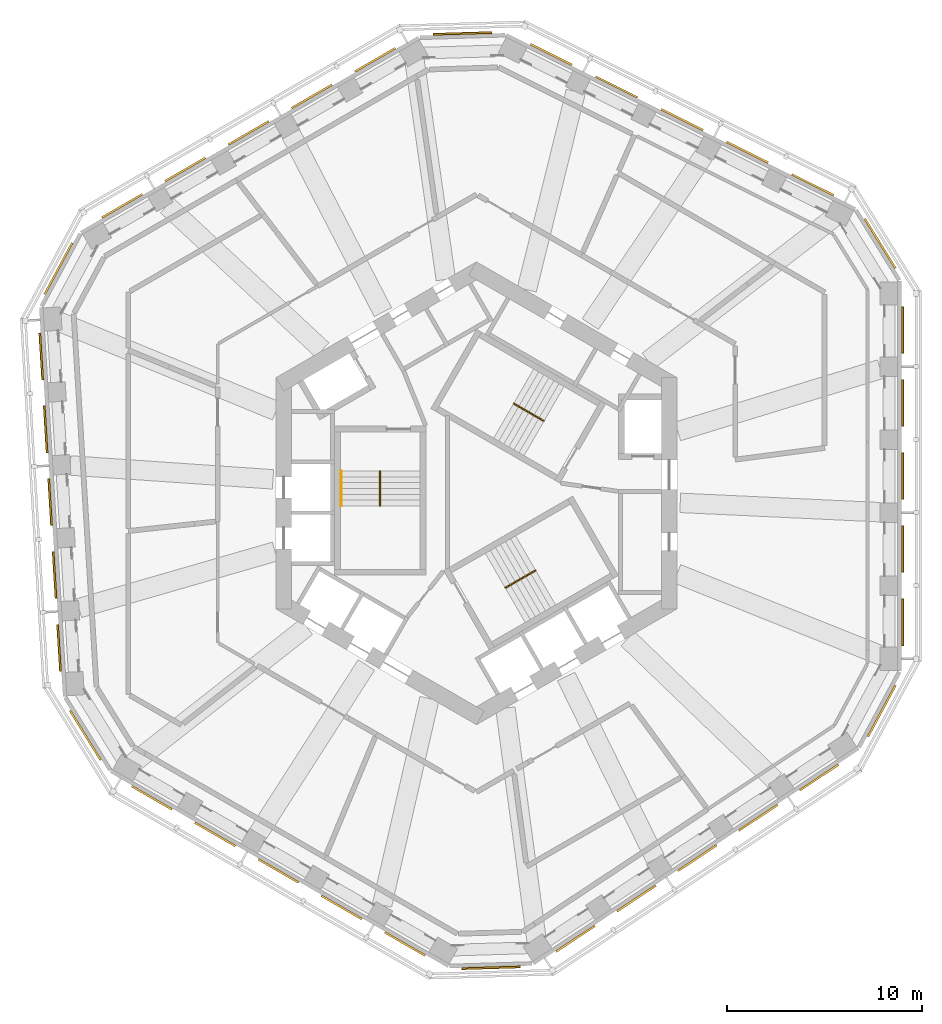
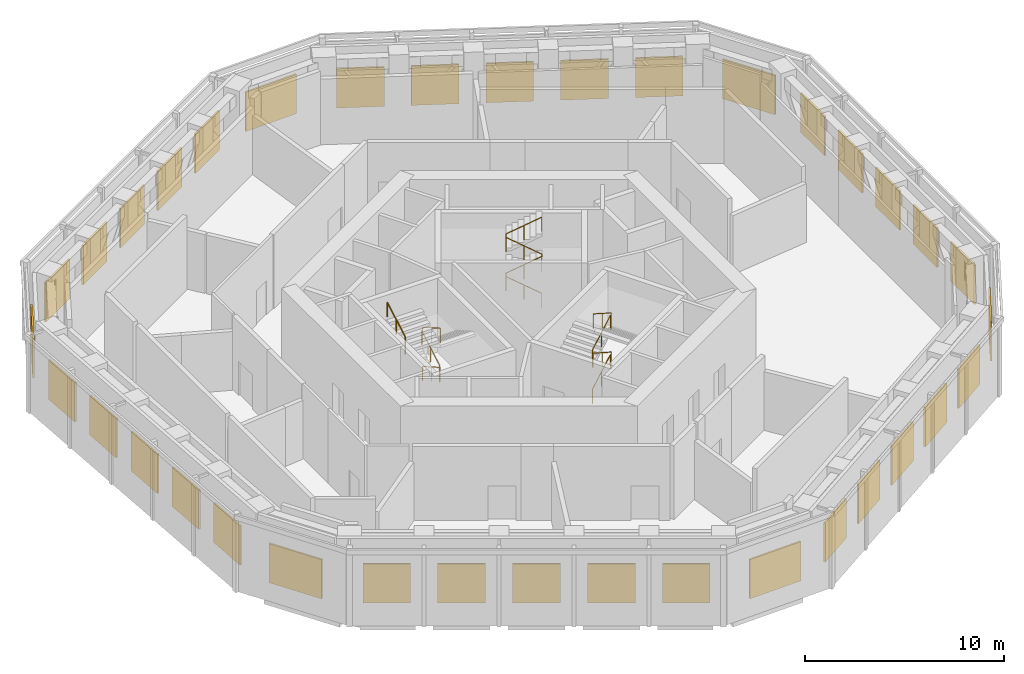
# One storey, part 15 of 15: 36 shading devices, 4 railings.
"""IFC4 building model written with IfcOpenShell, lengths in metres."""

from ifc_helpers import new_model, si_unit, direction, frame, origin, origin_2d, place, context, subcontext, project, spatial, rectangle, circle, extrude, material, layer, layer_set, type_object, element, save


model = new_model("IFC4")

# Units and contexts
model_context = context("Model", 3, precision=1e-05, world=origin(), true_north=direction((0.0, 1.0)))
body_context = subcontext(model_context, "Body", "Model", "MODEL_VIEW")
ifc_project = project(units=[si_unit("LENGTHUNIT", "METRE"), si_unit("AREAUNIT", "SQUARE_METRE"), si_unit("VOLUMEUNIT", "CUBIC_METRE"), si_unit("PLANEANGLEUNIT", "RADIAN"), si_unit("MASSUNIT", "GRAM", prefix="KILO")], contexts=[model_context])

# Site, building, storey
site_placement = place(None, origin())
site = spatial("IfcSite", under=ifc_project, at=site_placement, CompositionType="ELEMENT")
building_placement = place(site_placement, origin())
building = spatial("IfcBuilding", under=site, at=building_placement, Name="Vanh Sen Convention Tower", CompositionType="ELEMENT")
storey_placement = place(building_placement, frame((0.0, 0.0, 205.800048828125)))
storey = spatial("IfcBuildingStorey", under=building, at=storey_placement, Name="L51", CompositionType="ELEMENT", Elevation=205.800048828125)

# Shading devices
ifc_material_1 = material(Name="Aluminium fixed louvre", Category="aluminium")
ifc_layer_1 = layer(ifc_material_1, 0.10009765625)
ifc_layer_set_1 = layer_set([ifc_layer_1], Name="Aluminium fixed louvre")
shading_device_type_1 = type_object("IfcShadingDeviceType", Name="Fixed louvre band 2400 x 2400", PredefinedType="USERDEFINED", material=ifc_layer_set_1)
for number, where, z_axis, x_axis, name in (
    (1, (21.89990234375, -6.623779296875, 0.89990234375), (0.0, 0.0, 1.0), (0.0, 1.0, 0.0), "Fixed louvre band LV1-E1"),
    (2, (21.89990234375, -2.869873046875, 0.89990234375), (0.0, 0.0, 1.0), (0.0, 1.0, 0.0), "Fixed louvre band LV1-E2"),
    (3, (21.89990234375, 0.88427734375, 0.89990234375), (0.0, 0.0, 1.0), (0.0, 1.0, 0.0), "Fixed louvre band LV1-E3"),
    (4, (21.89990234375, 4.638427734375, 0.89990234375), (0.0, 0.0, 1.0), (0.0, 1.0, 0.0), "Fixed louvre band LV1-E4"),
    (5, (21.89990234375, 8.392578125, 0.89990234375), (0.0, 0.0, 1.0), (0.0, 1.0, 0.0), "Fixed louvre band LV1-E5"),
    (6, (17.282470703125, 15.8544921875, 0.89990234375), (0.0, 0.0, 1.0), (-0.894935919121, 0.446194689197, 0.0), "Fixed louvre band LV1-NE1"),
    (7, (13.9228515625, 17.529296875, 0.89990234375), (0.0, 0.0, 1.0), (-0.894935919121, 0.446194689197, 0.0), "Fixed louvre band LV1-NE2"),
    (8, (10.56298828125, 19.20458984375, 0.89990234375), (0.0, 0.0, 1.0), (-0.894935919121, 0.446194689197, 0.0), "Fixed louvre band LV1-NE3"),
    (9, (7.203369140625, 20.879638671875, 0.89990234375), (0.0, 0.0, 1.0), (-0.894935919121, 0.446194689197, 0.0), "Fixed louvre band LV1-NE4"),
    (10, (3.843505859375, 22.5546875, 0.89990234375), (0.0, 0.0, 1.0), (-0.894935919121, 0.446194689197, 0.0), "Fixed louvre band LV1-NE5"),
    (11, (-5.21337890625, 22.278076171875, 0.89990234375), (0.0, 0.0, 1.0), (-0.866024531118, -0.500001511499, 0.0), "Fixed louvre band LV1-NW1"),
    (12, (-8.464599609375, 20.40087890625, 0.89990234375), (0.0, 0.0, 1.0), (-0.866024531118, -0.500001511499, 0.0), "Fixed louvre band LV1-NW2"),
    (13, (-11.7158203125, 18.523681640625, 0.89990234375), (0.0, 0.0, 1.0), (-0.866024531118, -0.500001511499, 0.0), "Fixed louvre band LV1-NW3"),
    (14, (-14.967041015625, 16.646728515625, 0.89990234375), (0.0, 0.0, 1.0), (-0.866024531118, -0.500001511499, 0.0), "Fixed louvre band LV1-NW4"),
    (15, (-18.218017578125, 14.769775390625, 0.89990234375), (0.0, 0.0, 1.0), (-0.866024531118, -0.500001511499, 0.0), "Fixed louvre band LV1-NW5"),
    (16, (-22.371337890625, 7.039794921875, 0.89990234375), (0.0, 0.0, 1.0), (0.061045055387, -0.998135011515, 0.0), "Fixed louvre band LV1-W1"),
    (17, (-22.142333984375, 3.292724609375, 0.89990234375), (0.0, 0.0, 1.0), (0.061045055387, -0.998135011515, 0.0), "Fixed louvre band LV1-W2"),
    (18, (-21.9130859375, -0.454345703125, 0.89990234375), (0.0, 0.0, 1.0), (0.061045055387, -0.998135011515, 0.0), "Fixed louvre band LV1-W3"),
    (19, (-21.683837890625, -4.201416015625, 0.89990234375), (0.0, 0.0, 1.0), (0.061045055387, -0.998135011515, 0.0), "Fixed louvre band LV1-W4"),
    (20, (-21.45458984375, -7.948486328125, 0.89990234375), (0.0, 0.0, 1.0), (0.061045055387, -0.998135011515, 0.0), "Fixed louvre band LV1-W5"),
    (21, (-16.6865234375, -15.654052734375, 0.89990234375), (0.0, 0.0, 1.0), (0.866024531118, -0.500001511499, 0.0), "Fixed louvre band LV1-SW1"),
    (22, (-13.435302734375, -17.531005859375, 0.89990234375), (0.0, 0.0, 1.0), (0.866024531118, -0.500001511499, 0.0), "Fixed louvre band LV1-SW2"),
    (23, (-10.18408203125, -19.408203125, 0.89990234375), (0.0, 0.0, 1.0), (0.866024531118, -0.500001511499, 0.0), "Fixed louvre band LV1-SW3"),
    (24, (-6.93310546875, -21.28515625, 0.89990234375), (0.0, 0.0, 1.0), (0.866024531118, -0.500001511499, 0.0), "Fixed louvre band LV1-SW4"),
    (25, (-3.681884765625, -23.162109375, 0.89990234375), (0.0, 0.0, 1.0), (0.866024531118, -0.500001511499, 0.0), "Fixed louvre band LV1-SW5"),
    (26, (5.089111328125, -22.894287109375, 0.89990234375), (0.0, 0.0, 1.0), (0.833884858754, 0.551938440717, 0.0), "Fixed louvre band LV1-SE1"),
    (27, (8.219482421875, -20.822265625, 0.89990234375), (0.0, 0.0, 1.0), (0.833884858754, 0.551938440717, 0.0), "Fixed louvre band LV1-SE2"),
    (28, (11.35009765625, -18.750244140625, 0.89990234375), (0.0, 0.0, 1.0), (0.833884858754, 0.551938440717, 0.0), "Fixed louvre band LV1-SE3"),
    (29, (14.48046875, -16.677978515625, 0.89990234375), (0.0, 0.0, 1.0), (0.833884858754, 0.551938440717, 0.0), "Fixed louvre band LV1-SE4"),
    (30, (17.61083984375, -14.606201171875, 0.89990234375), (0.0, 0.0, 1.0), (0.833884858754, 0.551938440717, 0.0), "Fixed louvre band LV1-SE5"),
):
    element("IfcShadingDevice", number, at=place(storey_placement, frame(where, z_axis=z_axis, x_axis=x_axis)), inside=storey, type_object=shading_device_type_1, Name=name, ObjectType="LOUVRE", PredefinedType="USERDEFINED", context=body_context, shape_type="SweptSolid", body=[
        extrude(rectangle(XDim=2.39990234375, YDim=0.10009765625, at=origin_2d()), origin(), (0.0, 0.0, 1.0), 2.39990234375),
    ])
ifc_layer_2 = layer(ifc_material_1, 0.10009765625)
ifc_layer_set_2 = layer_set([ifc_layer_2], Name="Aluminium fixed louvre")
shading_device_type_2 = type_object("IfcShadingDeviceType", Name="Fixed louvre band 3000 x 2400", PredefinedType="USERDEFINED", material=ifc_layer_set_2)
for number, where, z_axis, x_axis, name in (
    (31, (20.747314453125, 12.8388671875, 0.89990234375), (0.0, 0.0, 1.0), (-0.5262035346, 0.850358653848, 0.0), "Fixed louvre band LV2-CH11"),
    (32, (-0.72216796875, 23.6357421875, 0.89990234375), (0.0, 0.0, 1.0), (-0.999534123682, -0.030521068053, 0.0), "Fixed louvre band LV2-CH21"),
    (33, (-21.492431640625, 11.54833984375, 0.89990234375), (0.0, 0.0, 1.0), (-0.473307367584, -0.880897346909, 0.0), "Fixed louvre band LV2-CH31"),
    (34, (-20.10791015625, -12.443115234375, 0.89990234375), (0.0, 0.0, 1.0), (0.526225796757, -0.85034487758, 0.0), "Fixed louvre band LV2-CH41"),
    (35, (0.7451171875, -24.38720703125, 0.89990234375), (0.0, 0.0, 1.0), (0.999533590837, 0.03053851321, 0.0), "Fixed louvre band LV2-CH51"),
    (36, (20.830078125, -11.1923828125, 0.89990234375), (0.0, 0.0, 1.0), (0.473327354389, 0.880886607679, 0.0), "Fixed louvre band LV2-CH61"),
):
    element("IfcShadingDevice", number, at=place(storey_placement, frame(where, z_axis=z_axis, x_axis=x_axis)), inside=storey, type_object=shading_device_type_2, Name=name, ObjectType="LOUVRE", PredefinedType="USERDEFINED", context=body_context, shape_type="SweptSolid", body=[
        extrude(rectangle(XDim=3.0, YDim=0.10009765625, at=origin_2d()), origin(), (0.0, 0.0, 1.0), 2.39990234375),
    ])

# Railings
ifc_material_2 = material(Name="Stainless steel handrail", Category="steel")
railing_type = type_object("IfcRailingType", Name="Stair handrail 900", PredefinedType="HANDRAIL", material=ifc_material_2)
railing_1_placement = place(storey_placement, frame((3.45849609375, 3.690185546875, 0.17138671875)))
element("IfcRailing", 37, at=railing_1_placement, inside=storey, type_object=railing_type, Name="Stair handrail ST1 L51", PredefinedType="HANDRAIL", context=body_context, shape_type="SweptSolid", body=[
    extrude(circle(Radius=0.02392578125, at=origin_2d()), frame((0.0, 0.0, 0.8759765625), z_axis=(-0.751935606252, 0.434085300649, 0.496147957579), x_axis=(-0.499961193289, -0.866047807691, 0.0)), (0.0, 0.0, 1.0), 2.072998046875),
    extrude(circle(Radius=0.02392578125, at=origin_2d()), frame((-1.558837890625, 0.89990234375, 1.904296875), z_axis=(0.497188445666, 0.867642581652, 0.0), x_axis=(-0.867642581652, 0.497188445666, 0.0)), (0.0, 0.0, 1.0), 0.050048828125),
    extrude(circle(Radius=0.02392578125, at=origin_2d()), frame((-1.533935546875, 0.943359375, 1.904296875), z_axis=(0.0, 0.0, 1.0), x_axis=(1.0, 0.0, 0.0)), (0.0, 0.0, 1.0), 0.17138671875),
    extrude(circle(Radius=0.02392578125, at=origin_2d()), frame((-1.533935546875, 0.943359375, 2.07568359375), z_axis=(0.751897164686, -0.434180868629, 0.496122592767), x_axis=(0.500062916607, 0.865989075817, 0.0)), (0.0, 0.0, 1.0), 2.0732421875),
    extrude(circle(Radius=0.02392578125, at=origin_2d()), frame((0.02490234375, 0.043212890625, 3.1044921875), z_axis=(-0.499298623879, -0.866429964967, 0.0), x_axis=(0.866429964967, -0.499298623879, 0.0)), (0.0, 0.0, 1.0), 0.0498046875),
    extrude(circle(Radius=0.02392578125, at=origin_2d()), frame((0.0, 0.0, 3.1044921875), z_axis=(0.0, 0.0, 1.0), x_axis=(1.0, 0.0, 0.0)), (0.0, 0.0, 1.0), 0.17138671875),
    extrude(circle(Radius=0.02392578125, at=origin_2d()), frame((0.0, 0.0, 3.27587890625), z_axis=(-0.751935606252, 0.434085300649, 0.496147957579), x_axis=(-0.499961193289, -0.866047807691, 0.0)), (0.0, 0.0, 1.0), 2.072998046875),
    extrude(circle(Radius=0.02392578125, at=origin_2d()), frame((-1.558837890625, 0.89990234375, 4.30419921875), z_axis=(0.497188445666, 0.867642581652, 0.0), x_axis=(-0.867642581652, 0.497188445666, 0.0)), (0.0, 0.0, 1.0), 0.050048828125),
    extrude(circle(Radius=0.02392578125, at=origin_2d()), frame((-1.533935546875, 0.943359375, 4.30419921875), z_axis=(0.0, 0.0, 1.0), x_axis=(1.0, 0.0, 0.0)), (0.0, 0.0, 1.0), 0.17138671875),
    extrude(circle(Radius=0.02392578125, at=origin_2d()), frame((-1.533935546875, 0.943359375, 4.4755859375), z_axis=(0.751853234962, -0.434155501535, 0.49621135977), x_axis=(0.500062916607, 0.865989075817, 0.0)), (0.0, 0.0, 1.0), 2.0732421875),
    extrude(circle(Radius=0.02099609375, at=origin_2d()), origin(), (0.0, 0.0, 1.0), 0.851806640625),
    extrude(circle(Radius=0.02099609375, at=origin_2d()), frame((-0.779296875, 0.449951171875, 0.51416015625)), (0.0, 0.0, 1.0), 0.851806640625),
    extrude(circle(Radius=0.02099609375, at=origin_2d()), frame((-1.558837890625, 0.89990234375, 1.028564453125)), (0.0, 0.0, 1.0), 0.851806640625),
    extrude(circle(Radius=0.02099609375, at=origin_2d()), frame((-1.533935546875, 0.943359375, 1.028564453125)), (0.0, 0.0, 1.0), 0.851806640625),
    extrude(circle(Radius=0.02099609375, at=origin_2d()), frame((-1.533935546875, 0.943359375, 1.199951171875)), (0.0, 0.0, 1.0), 0.851806640625),
    extrude(circle(Radius=0.02099609375, at=origin_2d()), frame((-0.75439453125, 0.4931640625, 1.71435546875)), (0.0, 0.0, 1.0), 0.851806640625),
    extrude(circle(Radius=0.02099609375, at=origin_2d()), frame((0.02490234375, 0.043212890625, 2.228515625)), (0.0, 0.0, 1.0), 0.851806640625),
    extrude(circle(Radius=0.02099609375, at=origin_2d()), frame((0.0, 0.0, 2.228515625)), (0.0, 0.0, 1.0), 0.851806640625),
    extrude(circle(Radius=0.02099609375, at=origin_2d()), frame((0.0, 0.0, 2.39990234375)), (0.0, 0.0, 1.0), 0.851806640625),
    extrude(circle(Radius=0.02099609375, at=origin_2d()), frame((-0.779296875, 0.449951171875, 2.9140625)), (0.0, 0.0, 1.0), 0.851806640625),
    extrude(circle(Radius=0.02099609375, at=origin_2d()), frame((-1.558837890625, 0.89990234375, 3.428466796875)), (0.0, 0.0, 1.0), 0.851806640625),
    extrude(circle(Radius=0.02099609375, at=origin_2d()), frame((-1.533935546875, 0.943359375, 3.428466796875)), (0.0, 0.0, 1.0), 0.851806640625),
    extrude(circle(Radius=0.02099609375, at=origin_2d()), frame((-1.533935546875, 0.943359375, 3.599853515625)), (0.0, 0.0, 1.0), 0.851806640625),
    extrude(circle(Radius=0.02099609375, at=origin_2d()), frame((-0.75439453125, 0.4931640625, 4.1142578125)), (0.0, 0.0, 1.0), 0.851806640625),
    extrude(circle(Radius=0.02099609375, at=origin_2d()), frame((0.02490234375, 0.043212890625, 4.628662109375)), (0.0, 0.0, 1.0), 0.851806640625),
])
railing_2_placement = place(storey_placement, frame((-4.925048828125, 1.14990234375, 0.17138671875)))
element("IfcRailing", 38, at=railing_2_placement, inside=storey, type_object=railing_type, Name="Stair handrail ST2 L51", PredefinedType="HANDRAIL", context=body_context, shape_type="SweptSolid", body=[
    extrude(circle(Radius=0.02392578125, at=origin_2d()), frame((0.0, 0.0, 0.8759765625), z_axis=(0.0, -0.868221398612, 0.496176987568), x_axis=(1.0, 0.0, 0.0)), (0.0, 0.0, 1.0), 2.072998046875),
    extrude(circle(Radius=0.02392578125, at=origin_2d()), frame((0.0, -1.7998046875, 1.904296875), z_axis=(-1.0, 0.0, 0.0), x_axis=(0.0, -1.0, 0.0)), (0.0, 0.0, 1.0), 0.050048828125),
    extrude(circle(Radius=0.02392578125, at=origin_2d()), frame((-0.050048828125, -1.7998046875, 1.904296875), z_axis=(0.0, 0.0, 1.0), x_axis=(1.0, 0.0, 0.0)), (0.0, 0.0, 1.0), 0.17138671875),
    extrude(circle(Radius=0.02392578125, at=origin_2d()), frame((-0.050048828125, -1.7998046875, 2.07568359375), z_axis=(0.0, 0.868221398612, 0.496176987568), x_axis=(-1.0, 0.0, 0.0)), (0.0, 0.0, 1.0), 2.072998046875),
    extrude(circle(Radius=0.02392578125, at=origin_2d()), frame((-0.050048828125, 0.0, 3.1044921875), z_axis=(1.0, 0.0, 0.0), x_axis=(0.0, 1.0, 0.0)), (0.0, 0.0, 1.0), 0.050048828125),
    extrude(circle(Radius=0.02392578125, at=origin_2d()), frame((0.0, 0.0, 3.1044921875), z_axis=(0.0, 0.0, 1.0), x_axis=(1.0, 0.0, 0.0)), (0.0, 0.0, 1.0), 0.17138671875),
    extrude(circle(Radius=0.02392578125, at=origin_2d()), frame((0.0, 0.0, 3.27587890625), z_axis=(0.0, -0.868221398612, 0.496176987568), x_axis=(1.0, 0.0, 0.0)), (0.0, 0.0, 1.0), 2.072998046875),
    extrude(circle(Radius=0.02099609375, at=origin_2d()), origin(), (0.0, 0.0, 1.0), 0.851806640625),
    extrude(circle(Radius=0.02099609375, at=origin_2d()), frame((0.0, -0.89990234375, 0.51416015625)), (0.0, 0.0, 1.0), 0.851806640625),
    extrude(circle(Radius=0.02099609375, at=origin_2d()), frame((0.0, -1.7998046875, 1.028564453125)), (0.0, 0.0, 1.0), 0.851806640625),
    extrude(circle(Radius=0.02099609375, at=origin_2d()), frame((-0.050048828125, -1.7998046875, 1.028564453125)), (0.0, 0.0, 1.0), 0.851806640625),
    extrude(circle(Radius=0.02099609375, at=origin_2d()), frame((-0.050048828125, -1.7998046875, 1.199951171875)), (0.0, 0.0, 1.0), 0.851806640625),
    extrude(circle(Radius=0.02099609375, at=origin_2d()), frame((-0.050048828125, -0.89990234375, 1.71435546875)), (0.0, 0.0, 1.0), 0.851806640625),
    extrude(circle(Radius=0.02099609375, at=origin_2d()), frame((-0.050048828125, 0.0, 2.228515625)), (0.0, 0.0, 1.0), 0.851806640625),
    extrude(circle(Radius=0.02099609375, at=origin_2d()), frame((0.0, 0.0, 2.228515625)), (0.0, 0.0, 1.0), 0.851806640625),
    extrude(circle(Radius=0.02099609375, at=origin_2d()), frame((0.0, 0.0, 2.39990234375)), (0.0, 0.0, 1.0), 0.851806640625),
    extrude(circle(Radius=0.02099609375, at=origin_2d()), frame((0.0, -0.89990234375, 2.9140625)), (0.0, 0.0, 1.0), 0.851806640625),
    extrude(circle(Radius=0.02099609375, at=origin_2d()), frame((0.0, -1.7998046875, 3.428466796875)), (0.0, 0.0, 1.0), 0.851806640625),
])
railing_3_placement = place(storey_placement, frame((1.466552734375, -4.840087890625, 0.17138671875)))
element("IfcRailing", 39, at=railing_3_placement, inside=storey, type_object=railing_type, Name="Stair handrail ST3 L51", PredefinedType="HANDRAIL", context=body_context, shape_type="SweptSolid", body=[
    extrude(circle(Radius=0.02392578125, at=origin_2d()), frame((0.0, 0.0, 0.8759765625), z_axis=(0.751935606252, 0.434085300649, 0.496147957579), x_axis=(-0.499961193289, 0.866047807691, 0.0)), (0.0, 0.0, 1.0), 2.072998046875),
    extrude(circle(Radius=0.02392578125, at=origin_2d()), frame((1.558837890625, 0.89990234375, 1.904296875), z_axis=(0.499298623879, -0.866429964967, 0.0), x_axis=(0.866429964967, 0.499298623879, 0.0)), (0.0, 0.0, 1.0), 0.0498046875),
    extrude(circle(Radius=0.02392578125, at=origin_2d()), frame((1.583740234375, 0.856689453125, 1.904296875), z_axis=(0.0, 0.0, 1.0), x_axis=(1.0, 0.0, 0.0)), (0.0, 0.0, 1.0), 0.17138671875),
    extrude(circle(Radius=0.02392578125, at=origin_2d()), frame((1.583740234375, 0.856689453125, 2.07568359375), z_axis=(-0.751845973456, -0.434219314557, 0.496166523523), x_axis=(0.50012165622, -0.865955154139, 0.0)), (0.0, 0.0, 1.0), 2.072998046875),
    extrude(circle(Radius=0.02392578125, at=origin_2d()), frame((0.025146484375, -0.04345703125, 3.1044921875), z_axis=(-0.500844580232, 0.86553723574, 0.0), x_axis=(-0.86553723574, -0.500844580232, 0.0)), (0.0, 0.0, 1.0), 0.05029296875),
    extrude(circle(Radius=0.02392578125, at=origin_2d()), frame((0.0, 0.0, 3.1044921875), z_axis=(0.0, 0.0, 1.0), x_axis=(1.0, 0.0, 0.0)), (0.0, 0.0, 1.0), 0.17138671875),
    extrude(circle(Radius=0.02392578125, at=origin_2d()), frame((0.0, 0.0, 3.27587890625), z_axis=(0.751935606252, 0.434085300649, 0.496147957579), x_axis=(-0.499961193289, 0.866047807691, 0.0)), (0.0, 0.0, 1.0), 2.072998046875),
    extrude(circle(Radius=0.02392578125, at=origin_2d()), frame((1.558837890625, 0.89990234375, 4.30419921875), z_axis=(0.499298623879, -0.866429964967, 0.0), x_axis=(0.866429964967, 0.499298623879, 0.0)), (0.0, 0.0, 1.0), 0.0498046875),
    extrude(circle(Radius=0.02392578125, at=origin_2d()), frame((1.583740234375, 0.856689453125, 4.30419921875), z_axis=(0.0, 0.0, 1.0), x_axis=(1.0, 0.0, 0.0)), (0.0, 0.0, 1.0), 0.17138671875),
    extrude(circle(Radius=0.02392578125, at=origin_2d()), frame((1.583740234375, 0.856689453125, 4.4755859375), z_axis=(-0.751802038943, -0.434193940724, 0.49625529325), x_axis=(0.50012165622, -0.865955154139, 0.0)), (0.0, 0.0, 1.0), 2.0732421875),
    extrude(circle(Radius=0.02099609375, at=origin_2d()), origin(), (0.0, 0.0, 1.0), 0.851806640625),
    extrude(circle(Radius=0.02099609375, at=origin_2d()), frame((0.779296875, 0.449951171875, 0.51416015625)), (0.0, 0.0, 1.0), 0.851806640625),
    extrude(circle(Radius=0.02099609375, at=origin_2d()), frame((1.558837890625, 0.89990234375, 1.028564453125)), (0.0, 0.0, 1.0), 0.851806640625),
    extrude(circle(Radius=0.02099609375, at=origin_2d()), frame((1.583740234375, 0.856689453125, 1.028564453125)), (0.0, 0.0, 1.0), 0.851806640625),
    extrude(circle(Radius=0.02099609375, at=origin_2d()), frame((1.583740234375, 0.856689453125, 1.199951171875)), (0.0, 0.0, 1.0), 0.851806640625),
    extrude(circle(Radius=0.02099609375, at=origin_2d()), frame((0.804443359375, 0.40673828125, 1.71435546875)), (0.0, 0.0, 1.0), 0.851806640625),
    extrude(circle(Radius=0.02099609375, at=origin_2d()), frame((0.025146484375, -0.04345703125, 2.228515625)), (0.0, 0.0, 1.0), 0.851806640625),
    extrude(circle(Radius=0.02099609375, at=origin_2d()), frame((0.0, 0.0, 2.228515625)), (0.0, 0.0, 1.0), 0.851806640625),
    extrude(circle(Radius=0.02099609375, at=origin_2d()), frame((0.0, 0.0, 2.39990234375)), (0.0, 0.0, 1.0), 0.851806640625),
    extrude(circle(Radius=0.02099609375, at=origin_2d()), frame((0.779296875, 0.449951171875, 2.9140625)), (0.0, 0.0, 1.0), 0.851806640625),
    extrude(circle(Radius=0.02099609375, at=origin_2d()), frame((1.558837890625, 0.89990234375, 3.428466796875)), (0.0, 0.0, 1.0), 0.851806640625),
    extrude(circle(Radius=0.02099609375, at=origin_2d()), frame((1.583740234375, 0.856689453125, 3.428466796875)), (0.0, 0.0, 1.0), 0.851806640625),
    extrude(circle(Radius=0.02099609375, at=origin_2d()), frame((1.583740234375, 0.856689453125, 3.599853515625)), (0.0, 0.0, 1.0), 0.851806640625),
    extrude(circle(Radius=0.02099609375, at=origin_2d()), frame((0.804443359375, 0.40673828125, 4.1142578125)), (0.0, 0.0, 1.0), 0.851806640625),
    extrude(circle(Radius=0.02099609375, at=origin_2d()), frame((0.025146484375, -0.04345703125, 4.628662109375)), (0.0, 0.0, 1.0), 0.851806640625),
])
railing_4_placement = place(storey_placement, frame((-6.949951171875, -0.64990234375, 3.599853515625)))
element("IfcRailing", 40, at=railing_4_placement, inside=storey, type_object=railing_type, Name="Stair wall handrail ST2 L51", PredefinedType="HANDRAIL", context=body_context, shape_type="SweptSolid", body=[
    extrude(circle(Radius=0.02392578125, at=origin_2d()), frame((0.0, 0.0, 0.8759765625), z_axis=(0.0, 0.0, 1.0), x_axis=(1.0, 0.0, 0.0)), (0.0, 0.0, 1.0), 0.17138671875),
    extrude(circle(Radius=0.02392578125, at=origin_2d()), frame((0.0, 0.0, 1.04736328125), z_axis=(0.0, 0.868170661501, 0.496265757945), x_axis=(-1.0, 0.0, 0.0)), (0.0, 0.0, 1.0), 2.072998046875),
    extrude(circle(Radius=0.02099609375, at=origin_2d()), origin(), (0.0, 0.0, 1.0), 0.851806640625),
    extrude(circle(Radius=0.02099609375, at=origin_2d()), frame((0.0, 0.0, 0.17138671875)), (0.0, 0.0, 1.0), 0.851806640625),
    extrude(circle(Radius=0.02099609375, at=origin_2d()), frame((0.0, 0.89990234375, 0.685791015625)), (0.0, 0.0, 1.0), 0.851806640625),
    extrude(circle(Radius=0.02099609375, at=origin_2d()), frame((0.0, 1.7998046875, 1.2001953125)), (0.0, 0.0, 1.0), 0.851806640625),
])

save(model, "model.ifc")
